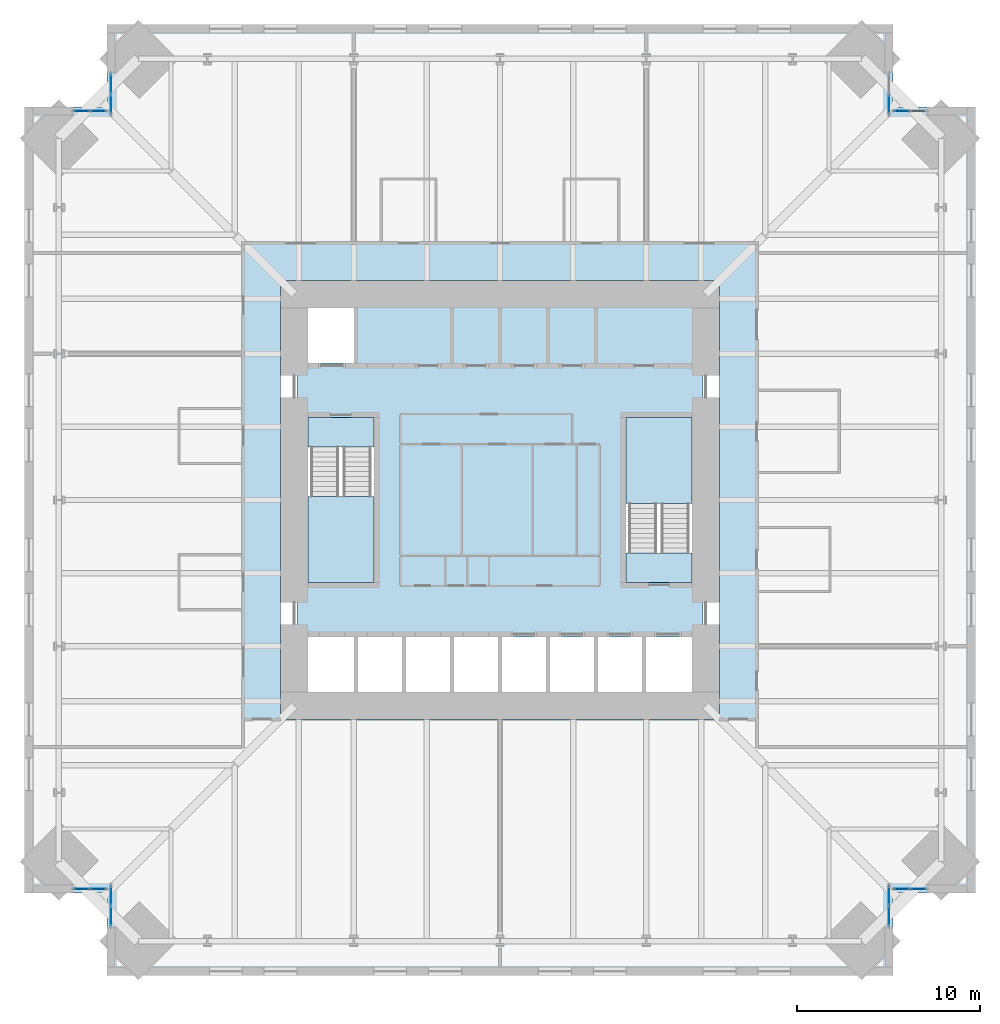
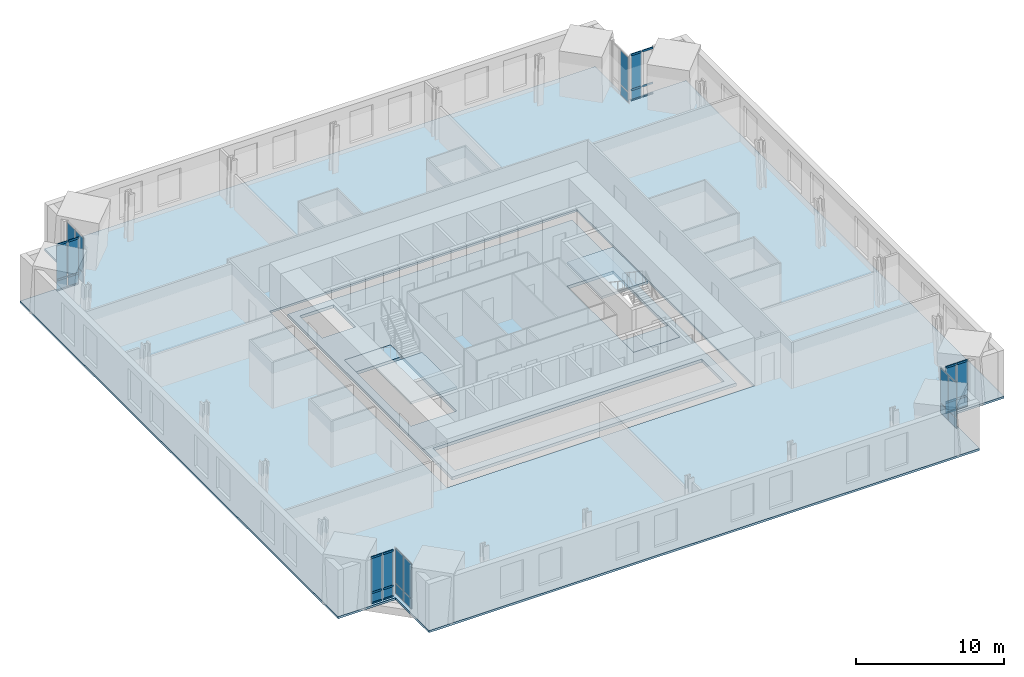
# One storey, part 12 of 18: 28 plates, 24 members, 6 slabs, 10 elements without a shape of their own.
"""IFC4 building model written with IfcOpenShell, lengths in metres."""

from ifc_helpers import new_model, si_unit, direction, frame, origin, origin_2d, place, context, subcontext, project, spatial, polyline, rectangle, hollow_rectangle, outline, extrude, material, layer, layer_set, material_profile, profile_set, type_object, element, aggregate, save


model = new_model("IFC4")

# Units and contexts
model_context = context("Model", 3, precision=1e-05, world=origin(), true_north=direction((0.0, 1.0)))
body_context = subcontext(model_context, "Body", "Model", "MODEL_VIEW")
ifc_project = project(units=[si_unit("LENGTHUNIT", "METRE"), si_unit("AREAUNIT", "SQUARE_METRE"), si_unit("VOLUMEUNIT", "CUBIC_METRE"), si_unit("PLANEANGLEUNIT", "RADIAN"), si_unit("MASSUNIT", "GRAM", prefix="KILO")], contexts=[model_context])

# Site, building, storey
site_placement = place(None, origin())
site = spatial("IfcSite", under=ifc_project, at=site_placement, CompositionType="ELEMENT")
building_placement = place(site_placement, origin())
building = spatial("IfcBuilding", under=site, at=building_placement, Name="Peilmerk Tower", CompositionType="ELEMENT")
storey_placement = place(building_placement, frame((0.0, 0.0, 167.800048828125)))
storey = spatial("IfcBuildingStorey", under=building, at=storey_placement, Name="L35", CompositionType="ELEMENT", Elevation=167.800048828125)

# Curtain wall, members
ifc_material_1 = material(Name="Aluminium stick curtain wall", Category="aluminium")
curtain_wall_type = type_object("IfcCurtainWallType", Name="CW3 stick curtain wall, 2250 module", PredefinedType="NOTDEFINED", material=ifc_material_1)
curtain_wall_1_placement = place(storey_placement, origin())
curtain_wall_1 = element("IfcCurtainWall", 1, at=curtain_wall_1_placement, inside=storey, type_object=curtain_wall_type, Name="Curtain wall CW3 NEB L35", PredefinedType="NOTDEFINED")
ifc_material_2 = material(Name="Aluminium EN AW-6063 T6", Category="aluminium")
ifc_material_profile = material_profile(ifc_material_2, hollow_rectangle(XDim=0.06494140625, YDim=0.14990234375, WallThickness=0.0029296875, at=origin_2d()), Name="AL 150x65x3")
ifc_profile_set = profile_set([ifc_material_profile], Name="Aluminium EN AW-6063 T6")
member_type = type_object("IfcMemberType", Name="CW3-T AL 150x65x3 transom", PredefinedType="USERDEFINED", material=ifc_profile_set)
member_1_placement = place(storey_placement, frame((21.56494140625, 21.27490234375, 0.032470703125), z_axis=(1.0, 0.0, 0.0), x_axis=(0.0, 1.0, 0.0)))
member_1 = element("IfcMember", 2, at=member_1_placement, type_object=member_type, Name="CW3 transom 1.1", ObjectType="TRANSOM", PredefinedType="USERDEFINED", context=body_context, shape_type="SweptSolid", body=[
    extrude(hollow_rectangle(XDim=0.06494140625, YDim=0.14990234375, WallThickness=0.0029296875, at=origin_2d()), origin(), (0.0, 0.0, 1.0), 0.82177734375),
])
member_2_placement = place(storey_placement, frame((21.56494140625, 21.27490234375, 0.89990234375), z_axis=(1.0, 0.0, 0.0), x_axis=(0.0, 1.0, 0.0)))
member_2 = element("IfcMember", 3, at=member_2_placement, type_object=member_type, Name="CW3 transom 1.2", ObjectType="TRANSOM", PredefinedType="USERDEFINED", context=body_context, shape_type="SweptSolid", body=[
    extrude(hollow_rectangle(XDim=0.06494140625, YDim=0.14990234375, WallThickness=0.0029296875, at=origin_2d()), origin(), (0.0, 0.0, 1.0), 0.82177734375),
])
member_3_placement = place(storey_placement, frame((21.56494140625, 21.27490234375, 3.79736328125), z_axis=(1.0, 0.0, 0.0), x_axis=(0.0, 1.0, 0.0)))
member_3 = element("IfcMember", 4, at=member_3_placement, type_object=member_type, Name="CW3 transom 1.3", ObjectType="TRANSOM", PredefinedType="USERDEFINED", context=body_context, shape_type="SweptSolid", body=[
    extrude(hollow_rectangle(XDim=0.06494140625, YDim=0.14990234375, WallThickness=0.0029296875, at=origin_2d()), origin(), (0.0, 0.0, 1.0), 0.82177734375),
])
member_4_placement = place(storey_placement, frame((22.451904296875, 21.27490234375, 0.032470703125), z_axis=(1.0, 0.0, 0.0), x_axis=(0.0, 1.0, 0.0)))
member_4 = element("IfcMember", 5, at=member_4_placement, type_object=member_type, Name="CW3 transom 2.1", ObjectType="TRANSOM", PredefinedType="USERDEFINED", context=body_context, shape_type="SweptSolid", body=[
    extrude(hollow_rectangle(XDim=0.06494140625, YDim=0.14990234375, WallThickness=0.0029296875, at=origin_2d()), origin(), (0.0, 0.0, 1.0), 0.82177734375),
])
member_5_placement = place(storey_placement, frame((22.451904296875, 21.27490234375, 0.89990234375), z_axis=(1.0, 0.0, 0.0), x_axis=(0.0, 1.0, 0.0)))
member_5 = element("IfcMember", 6, at=member_5_placement, type_object=member_type, Name="CW3 transom 2.2", ObjectType="TRANSOM", PredefinedType="USERDEFINED", context=body_context, shape_type="SweptSolid", body=[
    extrude(hollow_rectangle(XDim=0.06494140625, YDim=0.14990234375, WallThickness=0.0029296875, at=origin_2d()), origin(), (0.0, 0.0, 1.0), 0.82177734375),
])
member_6_placement = place(storey_placement, frame((22.451904296875, 21.27490234375, 3.79736328125), z_axis=(1.0, 0.0, 0.0), x_axis=(0.0, 1.0, 0.0)))
member_6 = element("IfcMember", 7, at=member_6_placement, type_object=member_type, Name="CW3 transom 2.3", ObjectType="TRANSOM", PredefinedType="USERDEFINED", context=body_context, shape_type="SweptSolid", body=[
    extrude(hollow_rectangle(XDim=0.06494140625, YDim=0.14990234375, WallThickness=0.0029296875, at=origin_2d()), origin(), (0.0, 0.0, 1.0), 0.82177734375),
])

curtain_wall_2_placement = place(storey_placement, origin())
curtain_wall_2 = element("IfcCurtainWall", 8, at=curtain_wall_2_placement, inside=storey, type_object=curtain_wall_type, Name="Curtain wall CW3 SEB L35", PredefinedType="NOTDEFINED")
member_7_placement = place(storey_placement, frame((21.56494140625, -21.27490234375, 0.032470703125), z_axis=(1.0, 0.0, 0.0), x_axis=(0.0, 1.0, 0.0)))
member_7 = element("IfcMember", 9, at=member_7_placement, type_object=member_type, Name="CW3 transom 1.1", ObjectType="TRANSOM", PredefinedType="USERDEFINED", context=body_context, shape_type="SweptSolid", body=[
    extrude(hollow_rectangle(XDim=0.06494140625, YDim=0.14990234375, WallThickness=0.0029296875, at=origin_2d()), origin(), (0.0, 0.0, 1.0), 0.82177734375),
])
member_8_placement = place(storey_placement, frame((21.56494140625, -21.27490234375, 0.89990234375), z_axis=(1.0, 0.0, 0.0), x_axis=(0.0, 1.0, 0.0)))
member_8 = element("IfcMember", 10, at=member_8_placement, type_object=member_type, Name="CW3 transom 1.2", ObjectType="TRANSOM", PredefinedType="USERDEFINED", context=body_context, shape_type="SweptSolid", body=[
    extrude(hollow_rectangle(XDim=0.06494140625, YDim=0.14990234375, WallThickness=0.0029296875, at=origin_2d()), origin(), (0.0, 0.0, 1.0), 0.82177734375),
])
member_9_placement = place(storey_placement, frame((21.56494140625, -21.27490234375, 3.79736328125), z_axis=(1.0, 0.0, 0.0), x_axis=(0.0, 1.0, 0.0)))
member_9 = element("IfcMember", 11, at=member_9_placement, type_object=member_type, Name="CW3 transom 1.3", ObjectType="TRANSOM", PredefinedType="USERDEFINED", context=body_context, shape_type="SweptSolid", body=[
    extrude(hollow_rectangle(XDim=0.06494140625, YDim=0.14990234375, WallThickness=0.0029296875, at=origin_2d()), origin(), (0.0, 0.0, 1.0), 0.82177734375),
])
member_10_placement = place(storey_placement, frame((22.451904296875, -21.27490234375, 0.032470703125), z_axis=(1.0, 0.0, 0.0), x_axis=(0.0, 1.0, 0.0)))
member_10 = element("IfcMember", 12, at=member_10_placement, type_object=member_type, Name="CW3 transom 2.1", ObjectType="TRANSOM", PredefinedType="USERDEFINED", context=body_context, shape_type="SweptSolid", body=[
    extrude(hollow_rectangle(XDim=0.06494140625, YDim=0.14990234375, WallThickness=0.0029296875, at=origin_2d()), origin(), (0.0, 0.0, 1.0), 0.82177734375),
])
member_11_placement = place(storey_placement, frame((22.451904296875, -21.27490234375, 0.89990234375), z_axis=(1.0, 0.0, 0.0), x_axis=(0.0, 1.0, 0.0)))
member_11 = element("IfcMember", 13, at=member_11_placement, type_object=member_type, Name="CW3 transom 2.2", ObjectType="TRANSOM", PredefinedType="USERDEFINED", context=body_context, shape_type="SweptSolid", body=[
    extrude(hollow_rectangle(XDim=0.06494140625, YDim=0.14990234375, WallThickness=0.0029296875, at=origin_2d()), origin(), (0.0, 0.0, 1.0), 0.82177734375),
])
member_12_placement = place(storey_placement, frame((22.451904296875, -21.27490234375, 3.79736328125), z_axis=(1.0, 0.0, 0.0), x_axis=(0.0, 1.0, 0.0)))
member_12 = element("IfcMember", 14, at=member_12_placement, type_object=member_type, Name="CW3 transom 2.3", ObjectType="TRANSOM", PredefinedType="USERDEFINED", context=body_context, shape_type="SweptSolid", body=[
    extrude(hollow_rectangle(XDim=0.06494140625, YDim=0.14990234375, WallThickness=0.0029296875, at=origin_2d()), origin(), (0.0, 0.0, 1.0), 0.82177734375),
])

curtain_wall_3_placement = place(storey_placement, origin())
curtain_wall_3 = element("IfcCurtainWall", 15, at=curtain_wall_3_placement, inside=storey, type_object=curtain_wall_type, Name="Curtain wall CW3 SWB L35", PredefinedType="NOTDEFINED")
member_13_placement = place(storey_placement, frame((-21.56494140625, -21.27490234375, 0.032470703125), z_axis=(-1.0, 0.0, 0.0), x_axis=(0.0, -1.0, 0.0)))
member_13 = element("IfcMember", 16, at=member_13_placement, type_object=member_type, Name="CW3 transom 1.1", ObjectType="TRANSOM", PredefinedType="USERDEFINED", context=body_context, shape_type="SweptSolid", body=[
    extrude(hollow_rectangle(XDim=0.06494140625, YDim=0.14990234375, WallThickness=0.0029296875, at=origin_2d()), origin(), (0.0, 0.0, 1.0), 0.82177734375),
])
member_14_placement = place(storey_placement, frame((-21.56494140625, -21.27490234375, 0.89990234375), z_axis=(-1.0, 0.0, 0.0), x_axis=(0.0, -1.0, 0.0)))
member_14 = element("IfcMember", 17, at=member_14_placement, type_object=member_type, Name="CW3 transom 1.2", ObjectType="TRANSOM", PredefinedType="USERDEFINED", context=body_context, shape_type="SweptSolid", body=[
    extrude(hollow_rectangle(XDim=0.06494140625, YDim=0.14990234375, WallThickness=0.0029296875, at=origin_2d()), origin(), (0.0, 0.0, 1.0), 0.82177734375),
])
member_15_placement = place(storey_placement, frame((-21.56494140625, -21.27490234375, 3.79736328125), z_axis=(-1.0, 0.0, 0.0), x_axis=(0.0, -1.0, 0.0)))
member_15 = element("IfcMember", 18, at=member_15_placement, type_object=member_type, Name="CW3 transom 1.3", ObjectType="TRANSOM", PredefinedType="USERDEFINED", context=body_context, shape_type="SweptSolid", body=[
    extrude(hollow_rectangle(XDim=0.06494140625, YDim=0.14990234375, WallThickness=0.0029296875, at=origin_2d()), origin(), (0.0, 0.0, 1.0), 0.82177734375),
])
member_16_placement = place(storey_placement, frame((-22.451904296875, -21.27490234375, 0.032470703125), z_axis=(-1.0, 0.0, 0.0), x_axis=(0.0, -1.0, 0.0)))
member_16 = element("IfcMember", 19, at=member_16_placement, type_object=member_type, Name="CW3 transom 2.1", ObjectType="TRANSOM", PredefinedType="USERDEFINED", context=body_context, shape_type="SweptSolid", body=[
    extrude(hollow_rectangle(XDim=0.06494140625, YDim=0.14990234375, WallThickness=0.0029296875, at=origin_2d()), origin(), (0.0, 0.0, 1.0), 0.82177734375),
])
member_17_placement = place(storey_placement, frame((-22.451904296875, -21.27490234375, 0.89990234375), z_axis=(-1.0, 0.0, 0.0), x_axis=(0.0, -1.0, 0.0)))
member_17 = element("IfcMember", 20, at=member_17_placement, type_object=member_type, Name="CW3 transom 2.2", ObjectType="TRANSOM", PredefinedType="USERDEFINED", context=body_context, shape_type="SweptSolid", body=[
    extrude(hollow_rectangle(XDim=0.06494140625, YDim=0.14990234375, WallThickness=0.0029296875, at=origin_2d()), origin(), (0.0, 0.0, 1.0), 0.82177734375),
])
member_18_placement = place(storey_placement, frame((-22.451904296875, -21.27490234375, 3.79736328125), z_axis=(-1.0, 0.0, 0.0), x_axis=(0.0, -1.0, 0.0)))
member_18 = element("IfcMember", 21, at=member_18_placement, type_object=member_type, Name="CW3 transom 2.3", ObjectType="TRANSOM", PredefinedType="USERDEFINED", context=body_context, shape_type="SweptSolid", body=[
    extrude(hollow_rectangle(XDim=0.06494140625, YDim=0.14990234375, WallThickness=0.0029296875, at=origin_2d()), origin(), (0.0, 0.0, 1.0), 0.82177734375),
])

curtain_wall_4_placement = place(storey_placement, origin())
curtain_wall_4 = element("IfcCurtainWall", 22, at=curtain_wall_4_placement, inside=storey, type_object=curtain_wall_type, Name="Curtain wall CW3 NWB L35", PredefinedType="NOTDEFINED")
member_19_placement = place(storey_placement, frame((-21.56494140625, 21.27490234375, 0.032470703125), z_axis=(-1.0, 0.0, 0.0), x_axis=(0.0, -1.0, 0.0)))
member_19 = element("IfcMember", 23, at=member_19_placement, type_object=member_type, Name="CW3 transom 1.1", ObjectType="TRANSOM", PredefinedType="USERDEFINED", context=body_context, shape_type="SweptSolid", body=[
    extrude(hollow_rectangle(XDim=0.06494140625, YDim=0.14990234375, WallThickness=0.0029296875, at=origin_2d()), origin(), (0.0, 0.0, 1.0), 0.82177734375),
])
member_20_placement = place(storey_placement, frame((-21.56494140625, 21.27490234375, 0.89990234375), z_axis=(-1.0, 0.0, 0.0), x_axis=(0.0, -1.0, 0.0)))
member_20 = element("IfcMember", 24, at=member_20_placement, type_object=member_type, Name="CW3 transom 1.2", ObjectType="TRANSOM", PredefinedType="USERDEFINED", context=body_context, shape_type="SweptSolid", body=[
    extrude(hollow_rectangle(XDim=0.06494140625, YDim=0.14990234375, WallThickness=0.0029296875, at=origin_2d()), origin(), (0.0, 0.0, 1.0), 0.82177734375),
])
member_21_placement = place(storey_placement, frame((-21.56494140625, 21.27490234375, 3.79736328125), z_axis=(-1.0, 0.0, 0.0), x_axis=(0.0, -1.0, 0.0)))
member_21 = element("IfcMember", 25, at=member_21_placement, type_object=member_type, Name="CW3 transom 1.3", ObjectType="TRANSOM", PredefinedType="USERDEFINED", context=body_context, shape_type="SweptSolid", body=[
    extrude(hollow_rectangle(XDim=0.06494140625, YDim=0.14990234375, WallThickness=0.0029296875, at=origin_2d()), origin(), (0.0, 0.0, 1.0), 0.82177734375),
])
member_22_placement = place(storey_placement, frame((-22.451904296875, 21.27490234375, 0.032470703125), z_axis=(-1.0, 0.0, 0.0), x_axis=(0.0, -1.0, 0.0)))
member_22 = element("IfcMember", 26, at=member_22_placement, type_object=member_type, Name="CW3 transom 2.1", ObjectType="TRANSOM", PredefinedType="USERDEFINED", context=body_context, shape_type="SweptSolid", body=[
    extrude(hollow_rectangle(XDim=0.06494140625, YDim=0.14990234375, WallThickness=0.0029296875, at=origin_2d()), origin(), (0.0, 0.0, 1.0), 0.82177734375),
])
member_23_placement = place(storey_placement, frame((-22.451904296875, 21.27490234375, 0.89990234375), z_axis=(-1.0, 0.0, 0.0), x_axis=(0.0, -1.0, 0.0)))
member_23 = element("IfcMember", 27, at=member_23_placement, type_object=member_type, Name="CW3 transom 2.2", ObjectType="TRANSOM", PredefinedType="USERDEFINED", context=body_context, shape_type="SweptSolid", body=[
    extrude(hollow_rectangle(XDim=0.06494140625, YDim=0.14990234375, WallThickness=0.0029296875, at=origin_2d()), origin(), (0.0, 0.0, 1.0), 0.82177734375),
])
member_24_placement = place(storey_placement, frame((-22.451904296875, 21.27490234375, 3.79736328125), z_axis=(-1.0, 0.0, 0.0), x_axis=(0.0, -1.0, 0.0)))
member_24 = element("IfcMember", 28, at=member_24_placement, type_object=member_type, Name="CW3 transom 2.3", ObjectType="TRANSOM", PredefinedType="USERDEFINED", context=body_context, shape_type="SweptSolid", body=[
    extrude(hollow_rectangle(XDim=0.06494140625, YDim=0.14990234375, WallThickness=0.0029296875, at=origin_2d()), origin(), (0.0, 0.0, 1.0), 0.82177734375),
])

# Slab
ifc_material_3 = material(Name="Concrete C55/67", Category="concrete")
ifc_layer_1 = layer(ifc_material_3, 0.25)
ifc_layer_set_1 = layer_set([ifc_layer_1], Name="Concrete C55/67")
slab_type_1 = type_object("IfcSlabType", Name="CS250 250 core floor slab", PredefinedType="FLOOR", material=ifc_layer_set_1)
slab_1_placement = place(storey_placement, frame((0.0, 0.0, -0.25)))
element("IfcSlab", 29, at=slab_1_placement, inside=storey, type_object=slab_type_1, Name="Core slab L35", PredefinedType="FLOOR", context=body_context, shape_type="SweptSolid", body=[
    extrude(outline(polyline([(11.10009765625, 11.10009765625), (-11.10009765625, 11.10009765625), (-11.10009765625, -11.10009765625), (11.10009765625, -11.10009765625), (11.10009765625, 11.10009765625)]), holes=[polyline([(-10.5, 7.5), (-10.5, 10.5), (-7.875, 10.5), (-7.875, 7.5), (-10.5, 7.5)]), polyline([(-10.5, -10.5), (-10.5, -7.5), (10.5, -7.5), (10.5, -10.5), (-10.5, -10.5)]), polyline([(-10.5, 4.5), (-6.89990234375, 4.5), (-6.89990234375, -4.5), (-10.5, -4.5), (-10.5, 4.5)]), polyline([(10.5, 4.5), (10.5, -4.5), (6.89990234375, -4.5), (6.89990234375, 4.5), (10.5, 4.5)])]), origin(), (0.0, 0.0, 1.0), 0.25),
])

# Curtain wall, plates
curtain_wall_5_placement = place(storey_placement, origin())
curtain_wall_5 = element("IfcCurtainWall", 30, at=curtain_wall_5_placement, inside=storey, type_object=curtain_wall_type, Name="Curtain wall CW3 NEA L35", PredefinedType="NOTDEFINED")
ifc_material_4 = material(Name="Clear insulated glazing unit", Category="glass")
ifc_layer_2 = layer(ifc_material_4, 0.028076171875)
ifc_layer_set_2 = layer_set([ifc_layer_2], Name="Clear insulated glazing unit")
plate_type = type_object("IfcPlateType", Name="CW3-P 28 glazed panel", PredefinedType="CURTAIN_PANEL", material=ifc_layer_set_2)
plate_1_placement = place(storey_placement, frame((21.27490234375, 21.638427734375, 0.06494140625), z_axis=(0.0, 0.0, 1.0), x_axis=(0.0, 1.0, 0.0)))
plate_1 = element("IfcPlate", 31, at=plate_1_placement, type_object=plate_type, Name="CW3 panel 1.1", PredefinedType="CURTAIN_PANEL", context=body_context, shape_type="SweptSolid", body=[
    extrude(rectangle(XDim=1.046875, YDim=0.028076171875, at=origin_2d()), origin(), (0.0, 0.0, 1.0), 0.802490234375),
])
plate_2_placement = place(storey_placement, frame((21.27490234375, 21.638427734375, 0.932373046875), z_axis=(0.0, 0.0, 1.0), x_axis=(0.0, 1.0, 0.0)))
plate_2 = element("IfcPlate", 32, at=plate_2_placement, type_object=plate_type, Name="CW3 panel 1.2", PredefinedType="CURTAIN_PANEL", context=body_context, shape_type="SweptSolid", body=[
    extrude(rectangle(XDim=1.046875, YDim=0.028076171875, at=origin_2d()), origin(), (0.0, 0.0, 1.0), 2.83251953125),
])
aggregate(curtain_wall_5, [plate_1, plate_2])

# Plate
plate_3_placement = place(storey_placement, frame((21.975830078125, 21.27490234375, 0.06494140625), z_axis=(0.0, 0.0, 1.0), x_axis=(1.0, 0.0, 0.0)))
plate_3 = element("IfcPlate", 33, at=plate_3_placement, type_object=plate_type, Name="CW3 panel 1.1", PredefinedType="CURTAIN_PANEL", context=body_context, shape_type="SweptSolid", body=[
    extrude(rectangle(XDim=0.82177734375, YDim=0.028076171875, at=origin_2d()), origin(), (0.0, 0.0, 1.0), 0.802490234375),
])

plate_4_placement = place(storey_placement, frame((21.975830078125, 21.27490234375, 0.932373046875), z_axis=(0.0, 0.0, 1.0), x_axis=(1.0, 0.0, 0.0)))
plate_4 = element("IfcPlate", 34, at=plate_4_placement, type_object=plate_type, Name="CW3 panel 1.2", PredefinedType="CURTAIN_PANEL", context=body_context, shape_type="SweptSolid", body=[
    extrude(rectangle(XDim=0.82177734375, YDim=0.028076171875, at=origin_2d()), origin(), (0.0, 0.0, 1.0), 2.83251953125),
])

aggregate(curtain_wall_1, [member_1, member_2, member_3, plate_3, plate_4, member_4, member_5, member_6])

# Curtain wall, plates
curtain_wall_6_placement = place(storey_placement, origin())
curtain_wall_6 = element("IfcCurtainWall", 35, at=curtain_wall_6_placement, inside=storey, type_object=curtain_wall_type, Name="Curtain wall CW3 SEA L35", PredefinedType="NOTDEFINED")
plate_5_placement = place(storey_placement, frame((21.27490234375, -21.638427734375, 0.06494140625), z_axis=(0.0, 0.0, 1.0), x_axis=(0.0, -1.0, 0.0)))
plate_5 = element("IfcPlate", 36, at=plate_5_placement, type_object=plate_type, Name="CW3 panel 1.1", PredefinedType="CURTAIN_PANEL", context=body_context, shape_type="SweptSolid", body=[
    extrude(rectangle(XDim=1.046875, YDim=0.028076171875, at=origin_2d()), origin(), (0.0, 0.0, 1.0), 0.802490234375),
])
plate_6_placement = place(storey_placement, frame((21.27490234375, -21.638427734375, 0.932373046875), z_axis=(0.0, 0.0, 1.0), x_axis=(0.0, -1.0, 0.0)))
plate_6 = element("IfcPlate", 37, at=plate_6_placement, type_object=plate_type, Name="CW3 panel 1.2", PredefinedType="CURTAIN_PANEL", context=body_context, shape_type="SweptSolid", body=[
    extrude(rectangle(XDim=1.046875, YDim=0.028076171875, at=origin_2d()), origin(), (0.0, 0.0, 1.0), 2.83251953125),
])
plate_7_placement = place(storey_placement, frame((21.27490234375, -22.750244140625, 0.06494140625), z_axis=(0.0, 0.0, 1.0), x_axis=(0.0, -1.0, 0.0)))
plate_7 = element("IfcPlate", 38, at=plate_7_placement, type_object=plate_type, Name="CW3 panel 2.1", PredefinedType="CURTAIN_PANEL", context=body_context, shape_type="SweptSolid", body=[
    extrude(rectangle(XDim=1.046875, YDim=0.028076171875, at=origin_2d()), origin(), (0.0, 0.0, 1.0), 0.802490234375),
])
plate_8_placement = place(storey_placement, frame((21.27490234375, -22.750244140625, 0.932373046875), z_axis=(0.0, 0.0, 1.0), x_axis=(0.0, -1.0, 0.0)))
plate_8 = element("IfcPlate", 39, at=plate_8_placement, type_object=plate_type, Name="CW3 panel 2.2", PredefinedType="CURTAIN_PANEL", context=body_context, shape_type="SweptSolid", body=[
    extrude(rectangle(XDim=1.046875, YDim=0.028076171875, at=origin_2d()), origin(), (0.0, 0.0, 1.0), 2.83251953125),
])
aggregate(curtain_wall_6, [plate_5, plate_6, plate_7, plate_8])

# Plate
plate_9_placement = place(storey_placement, frame((21.975830078125, -21.27490234375, 0.06494140625), z_axis=(0.0, 0.0, 1.0), x_axis=(1.0, 0.0, 0.0)))
plate_9 = element("IfcPlate", 40, at=plate_9_placement, type_object=plate_type, Name="CW3 panel 1.1", PredefinedType="CURTAIN_PANEL", context=body_context, shape_type="SweptSolid", body=[
    extrude(rectangle(XDim=0.82177734375, YDim=0.028076171875, at=origin_2d()), origin(), (0.0, 0.0, 1.0), 0.802490234375),
])

plate_10_placement = place(storey_placement, frame((21.975830078125, -21.27490234375, 0.932373046875), z_axis=(0.0, 0.0, 1.0), x_axis=(1.0, 0.0, 0.0)))
plate_10 = element("IfcPlate", 41, at=plate_10_placement, type_object=plate_type, Name="CW3 panel 1.2", PredefinedType="CURTAIN_PANEL", context=body_context, shape_type="SweptSolid", body=[
    extrude(rectangle(XDim=0.82177734375, YDim=0.028076171875, at=origin_2d()), origin(), (0.0, 0.0, 1.0), 2.83251953125),
])

plate_11_placement = place(storey_placement, frame((22.86279296875, -21.27490234375, 0.06494140625), z_axis=(0.0, 0.0, 1.0), x_axis=(1.0, 0.0, 0.0)))
plate_11 = element("IfcPlate", 42, at=plate_11_placement, type_object=plate_type, Name="CW3 panel 2.1", PredefinedType="CURTAIN_PANEL", context=body_context, shape_type="SweptSolid", body=[
    extrude(rectangle(XDim=0.82177734375, YDim=0.028076171875, at=origin_2d()), origin(), (0.0, 0.0, 1.0), 0.802490234375),
])

plate_12_placement = place(storey_placement, frame((22.86279296875, -21.27490234375, 0.932373046875), z_axis=(0.0, 0.0, 1.0), x_axis=(1.0, 0.0, 0.0)))
plate_12 = element("IfcPlate", 43, at=plate_12_placement, type_object=plate_type, Name="CW3 panel 2.2", PredefinedType="CURTAIN_PANEL", context=body_context, shape_type="SweptSolid", body=[
    extrude(rectangle(XDim=0.82177734375, YDim=0.028076171875, at=origin_2d()), origin(), (0.0, 0.0, 1.0), 2.83251953125),
])

aggregate(curtain_wall_2, [member_7, member_8, member_9, plate_9, plate_10, member_10, member_11, member_12, plate_11, plate_12])

# Curtain wall, plates
curtain_wall_7_placement = place(storey_placement, origin())
curtain_wall_7 = element("IfcCurtainWall", 44, at=curtain_wall_7_placement, inside=storey, type_object=curtain_wall_type, Name="Curtain wall CW3 SWA L35", PredefinedType="NOTDEFINED")
plate_13_placement = place(storey_placement, frame((-21.27490234375, -21.638427734375, 0.06494140625), z_axis=(0.0, 0.0, 1.0), x_axis=(0.0, -1.0, 0.0)))
plate_13 = element("IfcPlate", 45, at=plate_13_placement, type_object=plate_type, Name="CW3 panel 1.1", PredefinedType="CURTAIN_PANEL", context=body_context, shape_type="SweptSolid", body=[
    extrude(rectangle(XDim=1.046875, YDim=0.028076171875, at=origin_2d()), origin(), (0.0, 0.0, 1.0), 0.802490234375),
])
plate_14_placement = place(storey_placement, frame((-21.27490234375, -21.638427734375, 0.932373046875), z_axis=(0.0, 0.0, 1.0), x_axis=(0.0, -1.0, 0.0)))
plate_14 = element("IfcPlate", 46, at=plate_14_placement, type_object=plate_type, Name="CW3 panel 1.2", PredefinedType="CURTAIN_PANEL", context=body_context, shape_type="SweptSolid", body=[
    extrude(rectangle(XDim=1.046875, YDim=0.028076171875, at=origin_2d()), origin(), (0.0, 0.0, 1.0), 2.83251953125),
])
plate_15_placement = place(storey_placement, frame((-21.27490234375, -22.750244140625, 0.06494140625), z_axis=(0.0, 0.0, 1.0), x_axis=(0.0, -1.0, 0.0)))
plate_15 = element("IfcPlate", 47, at=plate_15_placement, type_object=plate_type, Name="CW3 panel 2.1", PredefinedType="CURTAIN_PANEL", context=body_context, shape_type="SweptSolid", body=[
    extrude(rectangle(XDim=1.046875, YDim=0.028076171875, at=origin_2d()), origin(), (0.0, 0.0, 1.0), 0.802490234375),
])
plate_16_placement = place(storey_placement, frame((-21.27490234375, -22.750244140625, 0.932373046875), z_axis=(0.0, 0.0, 1.0), x_axis=(0.0, -1.0, 0.0)))
plate_16 = element("IfcPlate", 48, at=plate_16_placement, type_object=plate_type, Name="CW3 panel 2.2", PredefinedType="CURTAIN_PANEL", context=body_context, shape_type="SweptSolid", body=[
    extrude(rectangle(XDim=1.046875, YDim=0.028076171875, at=origin_2d()), origin(), (0.0, 0.0, 1.0), 2.83251953125),
])
aggregate(curtain_wall_7, [plate_13, plate_14, plate_15, plate_16])

# Plate
plate_17_placement = place(storey_placement, frame((-21.975830078125, -21.27490234375, 0.06494140625), z_axis=(0.0, 0.0, 1.0), x_axis=(-1.0, 0.0, 0.0)))
plate_17 = element("IfcPlate", 49, at=plate_17_placement, type_object=plate_type, Name="CW3 panel 1.1", PredefinedType="CURTAIN_PANEL", context=body_context, shape_type="SweptSolid", body=[
    extrude(rectangle(XDim=0.82177734375, YDim=0.028076171875, at=origin_2d()), origin(), (0.0, 0.0, 1.0), 0.802490234375),
])

plate_18_placement = place(storey_placement, frame((-21.975830078125, -21.27490234375, 0.932373046875), z_axis=(0.0, 0.0, 1.0), x_axis=(-1.0, 0.0, 0.0)))
plate_18 = element("IfcPlate", 50, at=plate_18_placement, type_object=plate_type, Name="CW3 panel 1.2", PredefinedType="CURTAIN_PANEL", context=body_context, shape_type="SweptSolid", body=[
    extrude(rectangle(XDim=0.82177734375, YDim=0.028076171875, at=origin_2d()), origin(), (0.0, 0.0, 1.0), 2.83251953125),
])

plate_19_placement = place(storey_placement, frame((-22.86279296875, -21.27490234375, 0.06494140625), z_axis=(0.0, 0.0, 1.0), x_axis=(-1.0, 0.0, 0.0)))
plate_19 = element("IfcPlate", 51, at=plate_19_placement, type_object=plate_type, Name="CW3 panel 2.1", PredefinedType="CURTAIN_PANEL", context=body_context, shape_type="SweptSolid", body=[
    extrude(rectangle(XDim=0.82177734375, YDim=0.028076171875, at=origin_2d()), origin(), (0.0, 0.0, 1.0), 0.802490234375),
])

plate_20_placement = place(storey_placement, frame((-22.86279296875, -21.27490234375, 0.932373046875), z_axis=(0.0, 0.0, 1.0), x_axis=(-1.0, 0.0, 0.0)))
plate_20 = element("IfcPlate", 52, at=plate_20_placement, type_object=plate_type, Name="CW3 panel 2.2", PredefinedType="CURTAIN_PANEL", context=body_context, shape_type="SweptSolid", body=[
    extrude(rectangle(XDim=0.82177734375, YDim=0.028076171875, at=origin_2d()), origin(), (0.0, 0.0, 1.0), 2.83251953125),
])

aggregate(curtain_wall_3, [member_13, member_14, member_15, plate_17, plate_18, member_16, member_17, member_18, plate_19, plate_20])

# Curtain wall, plates
curtain_wall_8_placement = place(storey_placement, origin())
curtain_wall_8 = element("IfcCurtainWall", 53, at=curtain_wall_8_placement, inside=storey, type_object=curtain_wall_type, Name="Curtain wall CW3 NWA L35", PredefinedType="NOTDEFINED")
plate_21_placement = place(storey_placement, frame((-21.27490234375, 21.638427734375, 0.06494140625), z_axis=(0.0, 0.0, 1.0), x_axis=(0.0, 1.0, 0.0)))
plate_21 = element("IfcPlate", 54, at=plate_21_placement, type_object=plate_type, Name="CW3 panel 1.1", PredefinedType="CURTAIN_PANEL", context=body_context, shape_type="SweptSolid", body=[
    extrude(rectangle(XDim=1.046875, YDim=0.028076171875, at=origin_2d()), origin(), (0.0, 0.0, 1.0), 0.802490234375),
])
plate_22_placement = place(storey_placement, frame((-21.27490234375, 21.638427734375, 0.932373046875), z_axis=(0.0, 0.0, 1.0), x_axis=(0.0, 1.0, 0.0)))
plate_22 = element("IfcPlate", 55, at=plate_22_placement, type_object=plate_type, Name="CW3 panel 1.2", PredefinedType="CURTAIN_PANEL", context=body_context, shape_type="SweptSolid", body=[
    extrude(rectangle(XDim=1.046875, YDim=0.028076171875, at=origin_2d()), origin(), (0.0, 0.0, 1.0), 2.83251953125),
])
plate_23_placement = place(storey_placement, frame((-21.27490234375, 22.750244140625, 0.06494140625), z_axis=(0.0, 0.0, 1.0), x_axis=(0.0, 1.0, 0.0)))
plate_23 = element("IfcPlate", 56, at=plate_23_placement, type_object=plate_type, Name="CW3 panel 2.1", PredefinedType="CURTAIN_PANEL", context=body_context, shape_type="SweptSolid", body=[
    extrude(rectangle(XDim=1.046875, YDim=0.028076171875, at=origin_2d()), origin(), (0.0, 0.0, 1.0), 0.802490234375),
])
plate_24_placement = place(storey_placement, frame((-21.27490234375, 22.750244140625, 0.932373046875), z_axis=(0.0, 0.0, 1.0), x_axis=(0.0, 1.0, 0.0)))
plate_24 = element("IfcPlate", 57, at=plate_24_placement, type_object=plate_type, Name="CW3 panel 2.2", PredefinedType="CURTAIN_PANEL", context=body_context, shape_type="SweptSolid", body=[
    extrude(rectangle(XDim=1.046875, YDim=0.028076171875, at=origin_2d()), origin(), (0.0, 0.0, 1.0), 2.83251953125),
])
aggregate(curtain_wall_8, [plate_21, plate_22, plate_23, plate_24])

# Plate
plate_25_placement = place(storey_placement, frame((-21.975830078125, 21.27490234375, 0.06494140625), z_axis=(0.0, 0.0, 1.0), x_axis=(-1.0, 0.0, 0.0)))
plate_25 = element("IfcPlate", 58, at=plate_25_placement, type_object=plate_type, Name="CW3 panel 1.1", PredefinedType="CURTAIN_PANEL", context=body_context, shape_type="SweptSolid", body=[
    extrude(rectangle(XDim=0.82177734375, YDim=0.028076171875, at=origin_2d()), origin(), (0.0, 0.0, 1.0), 0.802490234375),
])

plate_26_placement = place(storey_placement, frame((-21.975830078125, 21.27490234375, 0.932373046875), z_axis=(0.0, 0.0, 1.0), x_axis=(-1.0, 0.0, 0.0)))
plate_26 = element("IfcPlate", 59, at=plate_26_placement, type_object=plate_type, Name="CW3 panel 1.2", PredefinedType="CURTAIN_PANEL", context=body_context, shape_type="SweptSolid", body=[
    extrude(rectangle(XDim=0.82177734375, YDim=0.028076171875, at=origin_2d()), origin(), (0.0, 0.0, 1.0), 2.83251953125),
])

plate_27_placement = place(storey_placement, frame((-22.86279296875, 21.27490234375, 0.06494140625), z_axis=(0.0, 0.0, 1.0), x_axis=(-1.0, 0.0, 0.0)))
plate_27 = element("IfcPlate", 60, at=plate_27_placement, type_object=plate_type, Name="CW3 panel 2.1", PredefinedType="CURTAIN_PANEL", context=body_context, shape_type="SweptSolid", body=[
    extrude(rectangle(XDim=0.82177734375, YDim=0.028076171875, at=origin_2d()), origin(), (0.0, 0.0, 1.0), 0.802490234375),
])

plate_28_placement = place(storey_placement, frame((-22.86279296875, 21.27490234375, 0.932373046875), z_axis=(0.0, 0.0, 1.0), x_axis=(-1.0, 0.0, 0.0)))
plate_28 = element("IfcPlate", 61, at=plate_28_placement, type_object=plate_type, Name="CW3 panel 2.2", PredefinedType="CURTAIN_PANEL", context=body_context, shape_type="SweptSolid", body=[
    extrude(rectangle(XDim=0.82177734375, YDim=0.028076171875, at=origin_2d()), origin(), (0.0, 0.0, 1.0), 2.83251953125),
])

aggregate(curtain_wall_4, [member_19, member_20, member_21, plate_25, plate_26, member_22, member_23, member_24, plate_27, plate_28])

# Slab
ifc_material_5 = material(Name="Concrete C35/45", Category="concrete")
ifc_layer_3 = layer(ifc_material_5, 0.169921875)
ifc_layer_set_3 = layer_set([ifc_layer_3], Name="Concrete C35/45")
slab_type_2 = type_object("IfcSlabType", Name="FS170 170 composite floor slab", PredefinedType="FLOOR", material=ifc_layer_set_3)
slab_2_placement = place(storey_placement, frame((0.0, 0.0, -0.170166015625)))
element("IfcSlab", 62, at=slab_2_placement, inside=storey, type_object=slab_type_2, Name="Floor slab L35", PredefinedType="FLOOR", context=body_context, shape_type="SweptSolid", body=[
    extrude(outline(polyline([(-21.5, -26.0), (21.5, -26.0), (21.5, -21.5), (26.0, -21.5), (26.0, 21.5), (21.5, 21.5), (21.5, 26.0), (-21.5, 26.0), (-21.5, 21.5), (-26.0, 21.5), (-26.0, -21.5), (-21.5, -21.5), (-21.5, -26.0)]), holes=[polyline([(12.0, 12.0), (12.0, -12.0), (-12.0, -12.0), (-12.0, 12.0), (12.0, 12.0)])]), origin(), (0.0, 0.0, 1.0), 0.170166015625),
])

# Stair, slab
ifc_material_6 = material(Name="Precast concrete C45/55", Category="concrete")
stair_type_1 = type_object("IfcStairType", Name="ST1 22 risers of 181.8", PredefinedType="HALF_TURN_STAIR", material=ifc_material_6)
stair_1_placement = place(storey_placement, origin())
stair_1 = element("IfcStair", 63, at=stair_1_placement, inside=storey, type_object=stair_type_1, Name="Stair 1 L35 to L36", PredefinedType="HALF_TURN_STAIR")
ifc_layer_4 = layer(ifc_material_5, 0.199951171875)
ifc_layer_set_4 = layer_set([ifc_layer_4], Name="Concrete C35/45")
slab_type_3 = type_object("IfcSlabType", Name="SL1 200 concrete stair landing", PredefinedType="LANDING", material=ifc_layer_set_4)
slab_3_placement = place(storey_placement, frame((0.0, 0.0, 1.800048828125)))
slab_3 = element("IfcSlab", 64, at=slab_3_placement, type_object=slab_type_3, Name="ST1 landing 1", PredefinedType="LANDING", context=body_context, shape_type="SweptSolid", body=[
    extrude(outline(polyline([(-10.5, -4.5), (-6.89990234375, -4.5), (-6.89990234375, 0.199951171875), (-10.5, 0.199951171875), (-10.5, -4.5)])), origin(), (0.0, 0.0, 1.0), 0.199951171875),
])

stair_type_2 = type_object("IfcStairType", Name="ST2 22 risers of 181.8", PredefinedType="HALF_TURN_STAIR", material=ifc_material_6)
stair_2_placement = place(storey_placement, origin())
stair_2 = element("IfcStair", 65, at=stair_2_placement, inside=storey, type_object=stair_type_2, Name="Stair 2 L35 to L36", PredefinedType="HALF_TURN_STAIR")
slab_4_placement = place(storey_placement, frame((0.0, 0.0, 1.800048828125)))
slab_4 = element("IfcSlab", 66, at=slab_4_placement, type_object=slab_type_3, Name="ST2 landing 1", PredefinedType="LANDING", context=body_context, shape_type="SweptSolid", body=[
    extrude(outline(polyline([(6.89990234375, -0.199951171875), (10.5, -0.199951171875), (10.5, 4.5), (6.89990234375, 4.5), (6.89990234375, -0.199951171875)])), origin(), (0.0, 0.0, 1.0), 0.199951171875),
])

# Slab
ifc_layer_5 = layer(ifc_material_5, 0.25)
ifc_layer_set_5 = layer_set([ifc_layer_5], Name="Concrete C35/45")
slab_type_4 = type_object("IfcSlabType", Name="SL2 250 concrete floor landing", PredefinedType="LANDING", material=ifc_layer_set_5)
slab_5_placement = place(storey_placement, frame((0.0, 0.0, -0.25)))
slab_5 = element("IfcSlab", 67, at=slab_5_placement, type_object=slab_type_4, Name="ST1 floor landing", PredefinedType="LANDING", context=body_context, shape_type="SweptSolid", body=[
    extrude(outline(polyline([(-10.5, 2.89990234375), (-6.89990234375, 2.89990234375), (-6.89990234375, 4.5), (-10.5, 4.5), (-10.5, 2.89990234375)])), origin(), (0.0, 0.0, 1.0), 0.25),
])

aggregate(stair_1, [slab_3, slab_5])

slab_6_placement = place(storey_placement, frame((0.0, 0.0, -0.25)))
slab_6 = element("IfcSlab", 68, at=slab_6_placement, type_object=slab_type_4, Name="ST2 floor landing", PredefinedType="LANDING", context=body_context, shape_type="SweptSolid", body=[
    extrude(outline(polyline([(6.89990234375, -4.5), (10.5, -4.5), (10.5, -2.89990234375), (6.89990234375, -2.89990234375), (6.89990234375, -4.5)])), origin(), (0.0, 0.0, 1.0), 0.25),
])

aggregate(stair_2, [slab_4, slab_6])

save(model, "model.ifc")
